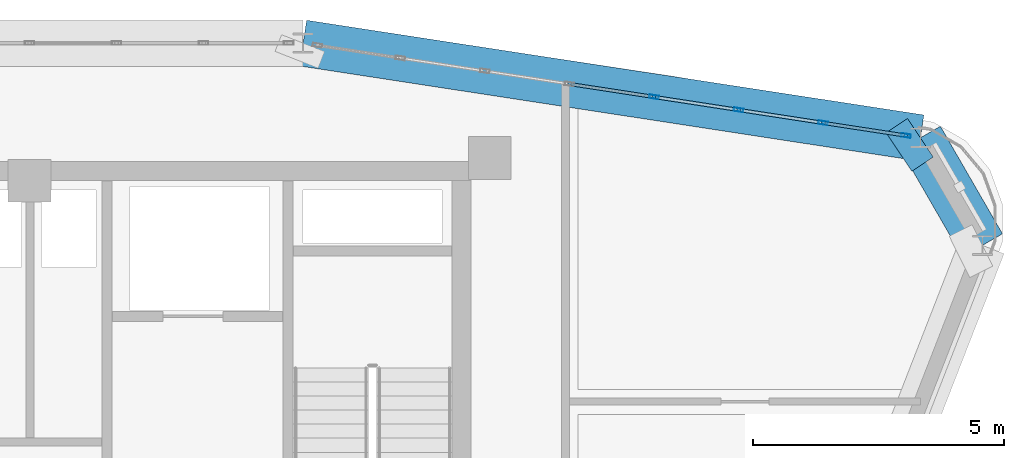
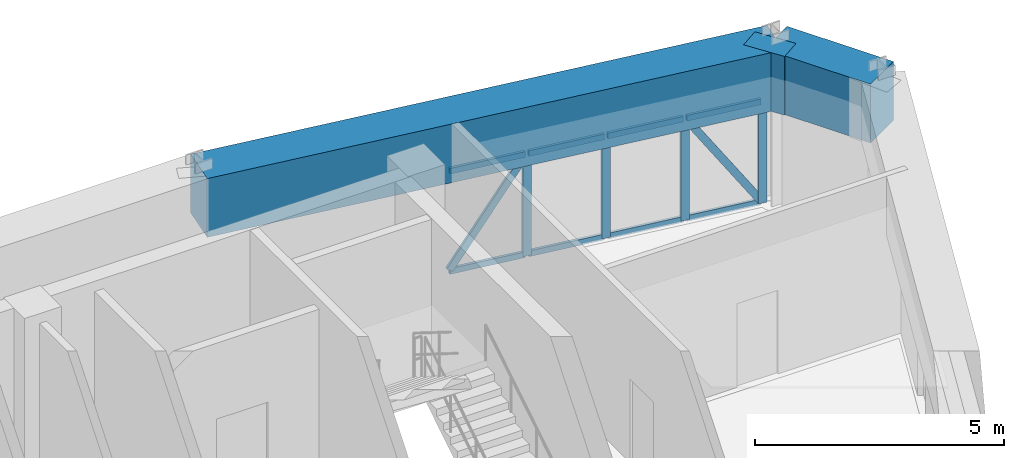
# One storey, part 10 of 16: 14 members, 3 beams, 1 element without a shape of its own.
"""IFC4 building model written with IfcOpenShell, lengths in metres."""

import ifcopenshell
import ifcopenshell.guid

model = None  # the IFC model being written
_history = None  # IfcOwnerHistory: only IFC2X3 demands one
_inside = {}  # id of a spatial element -> (the spatial element, [elements in it])
_under = {}  # id of a project, library or spatial element -> (it, [spatial elements below it])
_declared = {}  # id of a project -> (the project, [libraries it declares])
_typed = {}  # id of a type object -> (the type object, [elements of that type])
_made_of = {}  # id of a material, layer set ... -> (it, [elements and type objects made of it])


def new_model(schema):
    """Start an empty IFC model of exactly this schema.

    Asked for "IFC4X3", IfcOpenShell would pick the latest addendum, in which some entities
    have other attributes; the version numbers below select the first issue.
    IFC2X3 requires an IfcOwnerHistory on every rooted entity: one is made here for all.
    """
    global model, _history
    if schema == "IFC4X3":
        model = ifcopenshell.file(schema_version=(4, 3, 0, 0))
    else:
        model = ifcopenshell.file(schema=schema)
    _inside.clear()
    _under.clear()
    _declared.clear()
    _typed.clear()
    _made_of.clear()
    _history = None
    if model.schema == "IFC2X3":
        org = make("IfcOrganization", Name="unknown")
        user = make(
            "IfcPersonAndOrganization",
            ThePerson=make("IfcPerson", FamilyName="unknown"),
            TheOrganization=org,
        )
        app = make(
            "IfcApplication",
            ApplicationDeveloper=org,
            Version="unknown",
            ApplicationFullName="unknown",
            ApplicationIdentifier="unknown",
        )
        _history = make(
            "IfcOwnerHistory",
            OwningUser=user,
            OwningApplication=app,
            ChangeAction="ADDED",
            CreationDate=0,
        )
    return model


def make(cls, **values):
    """One entity of the class cls with the attributes given. An attribute that is None is left unset."""
    return model.create_entity(
        cls, **{name: value for name, value in values.items() if value is not None}
    )


def rooted(cls, **values):
    """An entity with a GlobalId (a new one), such as an element, a storey or a relation."""
    return make(cls, GlobalId=ifcopenshell.guid.new(), OwnerHistory=_history, **values)


def si_unit(unit_type, name, prefix=None):
    """IfcSIUnit, for example si_unit("LENGTHUNIT", "METRE", prefix="MILLI")."""
    return make("IfcSIUnit", UnitType=unit_type, Prefix=prefix, Name=name)


def derived_unit(unit_type, elements):
    """IfcDerivedUnit: a product of units, each with its exponent."""
    return make(
        "IfcDerivedUnit",
        Elements=[
            make("IfcDerivedUnitElement", Unit=unit, Exponent=power)
            for unit, power in elements
        ],
        UnitType=unit_type,
    )


def assignment(units):
    """IfcUnitAssignment: the units of a project."""
    return None if units is None else make("IfcUnitAssignment", Units=units)


def point(xyz):
    """IfcCartesianPoint."""
    return None if xyz is None else make("IfcCartesianPoint", Coordinates=xyz)


def direction(xyz):
    """IfcDirection."""
    return None if xyz is None else make("IfcDirection", DirectionRatios=xyz)


def frame(location, z_axis=None, x_axis=None):
    """IfcAxis2Placement3D, a coordinate frame: its origin and axes. An axis left out is left unset."""
    return make(
        "IfcAxis2Placement3D",
        Location=point(location),
        Axis=direction(z_axis),
        RefDirection=direction(x_axis),
    )


def frame_2d(location, x_axis=None):
    """IfcAxis2Placement2D, a coordinate frame in the plane: its origin and x axis."""
    return make(
        "IfcAxis2Placement2D", Location=point(location), RefDirection=direction(x_axis)
    )


def origin():
    """The frame at (0, 0, 0) with its axes left unset."""
    return frame((0.0, 0.0, 0.0))


def origin_2d():
    """The frame at (0, 0) in the plane with its x axis left unset."""
    return frame_2d((0.0, 0.0))


def place(relative_to, where):
    """IfcLocalPlacement: puts the frame where relative to a parent placement (None: the world)."""
    return make(
        "IfcLocalPlacement", PlacementRelTo=relative_to, RelativePlacement=where
    )


def context(
    kind, dimensions, precision=None, world=None, true_north=None, identifier=None
):
    """IfcGeometricRepresentationContext, for example the 3D "Model" context."""
    return make(
        "IfcGeometricRepresentationContext",
        ContextIdentifier=identifier,
        ContextType=kind,
        CoordinateSpaceDimension=dimensions,
        Precision=precision,
        WorldCoordinateSystem=world,
        TrueNorth=true_north,
    )


def subcontext(parent, identifier, kind, view, scale=None):
    """IfcGeometricRepresentationSubContext, for example "Body" below "Model"."""
    return make(
        "IfcGeometricRepresentationSubContext",
        ContextIdentifier=identifier,
        ContextType=kind,
        ParentContext=parent,
        TargetScale=scale,
        TargetView=view,
    )


def project(units=None, contexts=None):
    """IfcProject with its units and contexts."""
    return rooted(
        "IfcProject",
        Name="project",
        RepresentationContexts=contexts,
        UnitsInContext=assignment(units),
    )


def spatial(cls, under=None, at=None, **own):
    """A site, building, storey or space (cls), placed at a placement, below another one or the project."""
    s = rooted(cls, ObjectPlacement=at, **own)
    if under is not None:
        _under.setdefault(under.id(), (under, []))[1].append(s)
    return s


def profile(cls, at=None, kind="AREA", **sizes):
    """A parametric profile (cls). Its sizes go by their IFC names, for example OverallWidth=200.0."""
    return make(cls, ProfileType=kind, Position=at, **sizes)


def rectangle(**sizes):
    """IfcRectangleProfileDef."""
    return profile("IfcRectangleProfileDef", **sizes)


def hollow_rectangle(**sizes):
    """IfcRectangleHollowProfileDef."""
    return profile("IfcRectangleHollowProfileDef", **sizes)


def extrude(swept, where, along, depth):
    """IfcExtrudedAreaSolid: the profile swept, set in the frame where, extruded along a direction by depth."""
    return make(
        "IfcExtrudedAreaSolid",
        SweptArea=swept,
        Position=where,
        ExtrudedDirection=direction(along),
        Depth=depth,
    )


def shape(context_of_items, identifier, shape_type, items):
    """IfcShapeRepresentation: the items that make up one representation, for example the "Body"."""
    return make(
        "IfcShapeRepresentation",
        ContextOfItems=context_of_items,
        RepresentationIdentifier=identifier,
        RepresentationType=shape_type,
        Items=items,
    )


def source(mapping_origin, context_of_items, identifier, shape_type, items):
    """IfcRepresentationMap: a shape defined once, which mapped items show again and again."""
    return make(
        "IfcRepresentationMap",
        MappingOrigin=mapping_origin,
        MappedRepresentation=shape(context_of_items, identifier, shape_type, items),
    )


def transform(
    local_origin,
    x_axis=None,
    y_axis=None,
    z_axis=None,
    scale=None,
    scale2=None,
    scale3=None,
    uniform=True,
):
    """IfcCartesianTransformationOperator3D, or its non-uniform kind. x_axis, y_axis, z_axis: its Axis1, 2, 3."""
    if uniform:
        return make(
            "IfcCartesianTransformationOperator3D",
            Axis1=direction(x_axis),
            Axis2=direction(y_axis),
            LocalOrigin=point(local_origin),
            Scale=scale,
            Axis3=direction(z_axis),
        )
    return make(
        "IfcCartesianTransformationOperator3DnonUniform",
        Axis1=direction(x_axis),
        Axis2=direction(y_axis),
        LocalOrigin=point(local_origin),
        Scale=scale,
        Axis3=direction(z_axis),
        Scale2=scale2,
        Scale3=scale3,
    )


def mapped(mapping_source, mapping_target):
    """IfcMappedItem: shows the shape of a source again, moved by a transform."""
    return make(
        "IfcMappedItem", MappingSource=mapping_source, MappingTarget=mapping_target
    )


def material(Name=None, Category=None):
    """IfcMaterial."""
    return make("IfcMaterial", Name=Name, Category=Category)


def layer(
    of_material, thickness, ventilated=None, Name=None, Category=None, Priority=None
):
    """IfcMaterialLayer: one layer of a wall or slab, of a material (None: an air gap)."""
    return make(
        "IfcMaterialLayer",
        Material=of_material,
        LayerThickness=thickness,
        IsVentilated=ventilated,
        Name=Name,
        Category=Category,
        Priority=Priority,
    )


def layer_set(layers, Name=None):
    """IfcMaterialLayerSet."""
    return make("IfcMaterialLayerSet", MaterialLayers=layers, LayerSetName=Name)


def material_profile(
    of_material, cross_section, Name=None, Category=None, Priority=None
):
    """IfcMaterialProfile: a cross section and its material."""
    return make(
        "IfcMaterialProfile",
        Name=Name,
        Material=of_material,
        Profile=cross_section,
        Priority=Priority,
        Category=Category,
    )


def profile_set(profiles, Name=None, composite=None):
    """IfcMaterialProfileSet."""
    return make(
        "IfcMaterialProfileSet",
        Name=Name,
        MaterialProfiles=profiles,
        CompositeProfile=composite,
    )


def made_of(thing, what):
    """Note that an element or type object is made of a material, layer set ...; save() writes the relation."""
    if what is not None:
        _made_of.setdefault(what.id(), (what, []))[1].append(thing)
    return thing


def type_object(cls, material=None, **own):
    """A type object (cls), such as IfcWallType, which elements share."""
    return made_of(rooted(cls, **own), material)


def element(
    cls,
    number,
    at=None,
    inside=None,
    cuts=None,
    type_object=None,
    material=None,
    context=None,
    identifier="Body",
    shape_type=None,
    held_by="IfcProductDefinitionShape",
    body=None,
    shapes=None,
    **own,
):
    """One element of the class cls, such as IfcWall. Its Tag is "e" and its number.

    at: its placement. inside: the storey or other place that contains it. cuts: it is an
    opening in that element (IfcRelVoidsElement). A single representation is given by context,
    identifier, shape_type and body (its items); several are given by shapes. held_by: the class
    of the entity that holds the representations. save() writes the other relations.
    """
    e = rooted(cls, Tag="e%d" % number, ObjectPlacement=at, **own)
    if body is not None:
        shapes = [shape(context, identifier, shape_type, body)]
    if shapes is not None:
        e.Representation = make(held_by, Representations=shapes)
    if inside is not None:
        _inside.setdefault(inside.id(), (inside, []))[1].append(e)
    if cuts is not None:
        rooted(
            "IfcRelVoidsElement", RelatingBuildingElement=cuts, RelatedOpeningElement=e
        )
    if type_object is not None:
        _typed.setdefault(type_object.id(), (type_object, []))[1].append(e)
    return made_of(e, material)


def aggregate(whole, parts):
    """IfcRelAggregates: a whole, such as a stair, and the parts it consists of."""
    return rooted("IfcRelAggregates", RelatingObject=whole, RelatedObjects=parts)


def save(model, path):
    """Write the relations noted so far, then the file.

    IfcRelAggregates (storeys below a building ...), IfcRelContainedInSpatialStructure (elements
    in a storey), IfcRelDefinesByType, IfcRelAssociatesMaterial and IfcRelDeclares: one each for
    every whole, place, type object, material and project.
    """
    for whole, parts in _under.values():
        aggregate(whole, parts)
    for where, things in _inside.values():
        rooted(
            "IfcRelContainedInSpatialStructure",
            RelatedElements=things,
            RelatingStructure=where,
        )
    for kind, things in _typed.values():
        rooted("IfcRelDefinesByType", RelatedObjects=things, RelatingType=kind)
    for what, things in _made_of.values():
        rooted("IfcRelAssociatesMaterial", RelatedObjects=things, RelatingMaterial=what)
    for by, libraries in _declared.values():
        rooted("IfcRelDeclares", RelatingContext=by, RelatedDefinitions=libraries)
    model.write(path)


model = new_model("IFC4")

# Units and contexts
model_context = context("Model", 3, precision=1e-05, world=origin(), true_north=direction((0.0, 1.0)))
body_context = subcontext(model_context, "Body", "Model", "MODEL_VIEW")
ifc_project = project(units=[si_unit("LENGTHUNIT", "METRE"), si_unit("AREAUNIT", "SQUARE_METRE"), si_unit("VOLUMEUNIT", "CUBIC_METRE"), si_unit("PLANEANGLEUNIT", "RADIAN"), si_unit("MASSUNIT", "GRAM", prefix="KILO"), derived_unit("THERMALTRANSMITTANCEUNIT", [(si_unit("POWERUNIT", "WATT"), 1), (si_unit("LENGTHUNIT", "METRE"), -2), (si_unit("THERMODYNAMICTEMPERATUREUNIT", "KELVIN"), -1)])], contexts=[model_context])

# Site, building, storey
site_placement = place(None, origin())
site = spatial("IfcSite", under=ifc_project, at=site_placement, CompositionType="ELEMENT")
building_placement = place(site_placement, origin())
building = spatial("IfcBuilding", under=site, at=building_placement, Name="Korsvarv Bourse and Concert Hall", CompositionType="ELEMENT")
storey_placement = place(building_placement, frame((0.0, 0.0, 283.800048828125)))
storey = spatial("IfcBuildingStorey", under=building, at=storey_placement, Name="L74", CompositionType="ELEMENT", Elevation=283.800048828125)

# Beams
ifc_material_1 = material(Name="Concrete C50/60", Category="concrete")
ifc_material_profile_1 = material_profile(ifc_material_1, rectangle(XDim=0.919921875, YDim=1.43994140625, at=origin_2d()), Name="RC-BM 920x1440")
ifc_profile_set_1 = profile_set([ifc_material_profile_1], Name="Concrete C50/60")
beam_type = type_object("IfcBeamType", Name="BM-TR-144", PredefinedType="BEAM", material=ifc_profile_set_1)
shared_shape_1 = source(origin(), body_context, "Body", "SweptSolid", [
    extrude(rectangle(XDim=0.919921875, YDim=1.43994140625, at=origin_2d()), origin(), (0.0, 0.0, 1.0), 2.47021484375),
])
beam_1_placement = place(storey_placement, frame((54.94873046875, 45.513916015625, 3.239990234375), z_axis=(-0.500019046465, 0.866014407023, 0.0), x_axis=(-0.866014407023, -0.500019046465, 0.0)))
element("IfcBeam", 1, at=beam_1_placement, inside=storey, type_object=beam_type, Name="L74 beam B-TR4", PredefinedType="BEAM", context=body_context, shape_type="MappedRepresentation", body=[
    mapped(shared_shape_1, transform((0.0, 0.0, 0.0), scale=1.0)),
])
shared_shape_2 = source(origin(), body_context, "Body", "SweptSolid", [
    extrude(rectangle(XDim=0.919921875, YDim=1.43994140625, at=origin_2d()), origin(), (0.0, 0.0, 1.0), 12.417236328125),
])
beam_2_placement = place(storey_placement, frame((53.713623046875, 47.653076171875, 3.239990234375), z_axis=(-0.988437521612, 0.151628710574, 0.0), x_axis=(-0.151628710574, -0.988437521612, 0.0)))
element("IfcBeam", 2, at=beam_2_placement, inside=storey, type_object=beam_type, Name="L74 beam B-TR4", PredefinedType="BEAM", context=body_context, shape_type="MappedRepresentation", body=[
    mapped(shared_shape_2, transform((0.0, 0.0, 0.0), scale=1.0)),
])
shared_shape_3 = source(origin(), body_context, "Body", "SweptSolid", [
    extrude(rectangle(XDim=0.919921875, YDim=1.43994140625, at=origin_2d()), origin(), (0.0, 0.0, 1.0), 0.51025390625),
])
beam_3_placement = place(storey_placement, frame((53.713623046875, 47.653076171875, 3.239990234375), z_axis=(-0.832858973752, -0.553485257112, 0.0), x_axis=(0.553485257112, -0.832858973752, 0.0)))
element("IfcBeam", 3, at=beam_3_placement, inside=storey, type_object=beam_type, Name="L74 beam B-TR4", PredefinedType="BEAM", context=body_context, shape_type="MappedRepresentation", body=[
    mapped(shared_shape_3, transform((0.0, 0.0, 0.0), scale=1.0)),
])

# Curtain wall, members
ifc_material_2 = material(Name="Anodised aluminium and triple low-E glazing", Category="glass")
ifc_layer = layer(ifc_material_2, 0.18994140625)
ifc_layer_set = layer_set([ifc_layer], Name="Anodised aluminium and triple low-E glazing")
curtain_wall_type = type_object("IfcCurtainWallType", Name="CW-SYS-4", PredefinedType="NOTDEFINED", material=ifc_layer_set)
curtain_wall_placement = place(storey_placement, origin())
curtain_wall = element("IfcCurtainWall", 4, at=curtain_wall_placement, inside=storey, type_object=curtain_wall_type, Name="L74 CW4 curtain wall CW-L74-F02", PredefinedType="NOTDEFINED")
ifc_material_3 = material(Name="Extruded aluminium EN AW-6063 T66", Category="aluminium")
ifc_material_profile_2 = material_profile(ifc_material_3, hollow_rectangle(XDim=0.070068359375, YDim=0.18994140625, WallThickness=0.0048828125, at=origin_2d()), Name="ALU-M 70x190")
ifc_profile_set_2 = profile_set([ifc_material_profile_2], Name="Extruded aluminium EN AW-6063 T66")
member_type_1 = type_object("IfcMemberType", Name="CWM-190", PredefinedType="MULLION", material=ifc_profile_set_2)
shared_shape_4 = source(origin(), body_context, "Body", "SweptSolid", [
    extrude(hollow_rectangle(XDim=0.070068359375, YDim=0.18994140625, WallThickness=0.0048828125, at=origin_2d()), origin(), (0.0, 0.0, 1.0), 2.52001953125),
])
member_1_placement = place(storey_placement, frame((53.4287109375, 47.69677734375, 0.0), z_axis=(0.0, 0.0, 1.0), x_axis=(-0.151630675756, -0.988437220146, 0.0)))
member_1 = element("IfcMember", 5, at=member_1_placement, type_object=member_type_1, Name="CW4 mullion 1", PredefinedType="MULLION", context=body_context, shape_type="MappedRepresentation", body=[
    mapped(shared_shape_4, transform((0.0, 0.0, 0.0), scale=1.0)),
])
member_2_placement = place(storey_placement, frame((51.78125, 47.949462890625, 0.0), z_axis=(0.0, 0.0, 1.0), x_axis=(-0.151630675756, -0.988437220146, 0.0)))
member_2 = element("IfcMember", 6, at=member_2_placement, type_object=member_type_1, Name="CW4 mullion 2", PredefinedType="MULLION", context=body_context, shape_type="MappedRepresentation", body=[
    mapped(shared_shape_4, transform((0.0, 0.0, 0.0), scale=1.0)),
])
member_3_placement = place(storey_placement, frame((50.099609375, 48.20751953125, 0.0), z_axis=(0.0, 0.0, 1.0), x_axis=(-0.151630675756, -0.988437220146, 0.0)))
member_3 = element("IfcMember", 7, at=member_3_placement, type_object=member_type_1, Name="CW4 mullion 3", PredefinedType="MULLION", context=body_context, shape_type="MappedRepresentation", body=[
    mapped(shared_shape_4, transform((0.0, 0.0, 0.0), scale=1.0)),
])
member_4_placement = place(storey_placement, frame((48.417724609375, 48.465576171875, 0.0), z_axis=(0.0, 0.0, 1.0), x_axis=(-0.151630675756, -0.988437220146, 0.0)))
member_4 = element("IfcMember", 8, at=member_4_placement, type_object=member_type_1, Name="CW4 mullion 4", PredefinedType="MULLION", context=body_context, shape_type="MappedRepresentation", body=[
    mapped(shared_shape_4, transform((0.0, 0.0, 0.0), scale=1.0)),
])
ifc_material_profile_3 = material_profile(ifc_material_3, hollow_rectangle(XDim=0.06494140625, YDim=0.139892578125, WallThickness=0.00390625, at=origin_2d()), Name="ALU-T 65x140")
ifc_profile_set_3 = profile_set([ifc_material_profile_3], Name="Extruded aluminium EN AW-6063 T66")
member_type_2 = type_object("IfcMemberType", Name="CWT-140", PredefinedType="USERDEFINED", material=ifc_profile_set_3)
shared_shape_5 = source(origin(), body_context, "Body", "SweptSolid", [
    extrude(hollow_rectangle(XDim=0.06494140625, YDim=0.139892578125, WallThickness=0.00390625, at=origin_2d()), origin(), (0.0, 0.0, 1.0), 1.5966796875),
])
member_5_placement = place(storey_placement, frame((53.39404296875, 47.7021484375, 0.032470703125), z_axis=(-0.988451114233, 0.151540076455, 0.0), x_axis=(-0.151540076455, -0.988451114233, 0.0)))
member_5 = element("IfcMember", 9, at=member_5_placement, type_object=member_type_2, Name="CW4 transom 1.1", ObjectType="TRANSOM", PredefinedType="USERDEFINED", context=body_context, shape_type="MappedRepresentation", body=[
    mapped(shared_shape_5, transform((0.0, 0.0, 0.0), scale=1.0)),
])
member_6_placement = place(storey_placement, frame((53.39404296875, 47.7021484375, 2.487548828125), z_axis=(-0.988451114233, 0.151540076455, 0.0), x_axis=(-0.151540076455, -0.988451114233, 0.0)))
member_6 = element("IfcMember", 10, at=member_6_placement, type_object=member_type_2, Name="CW4 transom 1.2", ObjectType="TRANSOM", PredefinedType="USERDEFINED", context=body_context, shape_type="MappedRepresentation", body=[
    mapped(shared_shape_5, transform((0.0, 0.0, 0.0), scale=1.0)),
])
ifc_material_profile_4 = material_profile(ifc_material_3, hollow_rectangle(XDim=0.06494140625, YDim=0.1650390625, WallThickness=0.0048828125, at=origin_2d()), Name="ALU-M 65x165")
ifc_profile_set_4 = profile_set([ifc_material_profile_4], Name="Extruded aluminium EN AW-6063 T66")
member_type_3 = type_object("IfcMemberType", Name="CWM-165", PredefinedType="MULLION", material=ifc_profile_set_4)
shared_shape_6 = source(origin(), body_context, "Body", "SweptSolid", [
    extrude(hollow_rectangle(XDim=0.06494140625, YDim=0.1650390625, WallThickness=0.0048828125, at=origin_2d()), origin(), (0.0, 0.0, 1.0), 2.8740234375),
])
member_7_placement = place(storey_placement, frame((53.39404296875, 47.7021484375, 0.06494140625), z_axis=(-0.54907991806, 0.084179795606, 0.831519696456), x_axis=(-0.151540076455, -0.988451114233, 0.0)))
member_7 = element("IfcMember", 11, at=member_7_placement, type_object=member_type_3, Name="CW4 diagonal mullion 1", PredefinedType="MULLION", context=body_context, shape_type="MappedRepresentation", body=[
    mapped(shared_shape_6, transform((0.0, 0.0, 0.0), scale=1.0)),
])
shared_shape_7 = source(origin(), body_context, "Body", "SweptSolid", [
    extrude(hollow_rectangle(XDim=0.06494140625, YDim=0.139892578125, WallThickness=0.00390625, at=origin_2d()), origin(), (0.0, 0.0, 1.0), 1.631591796875),
])
member_8_placement = place(storey_placement, frame((51.746826171875, 47.954833984375, 0.032470703125), z_axis=(-0.988445961203, 0.151573684332, 0.0), x_axis=(-0.151573684332, -0.988445961203, 0.0)))
member_8 = element("IfcMember", 12, at=member_8_placement, type_object=member_type_2, Name="CW4 transom 2.1", ObjectType="TRANSOM", PredefinedType="USERDEFINED", context=body_context, shape_type="MappedRepresentation", body=[
    mapped(shared_shape_7, transform((0.0, 0.0, 0.0), scale=1.0)),
])
member_9_placement = place(storey_placement, frame((51.746826171875, 47.954833984375, 2.487548828125), z_axis=(-0.988445961203, 0.151573684332, 0.0), x_axis=(-0.151573684332, -0.988445961203, 0.0)))
member_9 = element("IfcMember", 13, at=member_9_placement, type_object=member_type_2, Name="CW4 transom 2.2", ObjectType="TRANSOM", PredefinedType="USERDEFINED", context=body_context, shape_type="MappedRepresentation", body=[
    mapped(shared_shape_7, transform((0.0, 0.0, 0.0), scale=1.0)),
])
shared_shape_8 = source(origin(), body_context, "Body", "SweptSolid", [
    extrude(hollow_rectangle(XDim=0.06494140625, YDim=0.139892578125, WallThickness=0.00390625, at=origin_2d()), origin(), (0.0, 0.0, 1.0), 1.63134765625),
])
member_10_placement = place(storey_placement, frame((50.06494140625, 48.212890625, 0.032470703125), z_axis=(-0.988442522787, 0.151596105312, 0.0), x_axis=(-0.151596105312, -0.988442522787, 0.0)))
member_10 = element("IfcMember", 14, at=member_10_placement, type_object=member_type_2, Name="CW4 transom 3.1", ObjectType="TRANSOM", PredefinedType="USERDEFINED", context=body_context, shape_type="MappedRepresentation", body=[
    mapped(shared_shape_8, transform((0.0, 0.0, 0.0), scale=1.0)),
])
member_11_placement = place(storey_placement, frame((50.06494140625, 48.212890625, 2.487548828125), z_axis=(-0.988442522787, 0.151596105312, 0.0), x_axis=(-0.151596105312, -0.988442522787, 0.0)))
member_11 = element("IfcMember", 15, at=member_11_placement, type_object=member_type_2, Name="CW4 transom 3.2", ObjectType="TRANSOM", PredefinedType="USERDEFINED", context=body_context, shape_type="MappedRepresentation", body=[
    mapped(shared_shape_8, transform((0.0, 0.0, 0.0), scale=1.0)),
])
member_12_placement = place(storey_placement, frame((48.383056640625, 48.470703125, 0.032470703125), z_axis=(-0.988420088226, 0.151742311803, 0.0), x_axis=(-0.151742311803, -0.988420088226, 0.0)))
member_12 = element("IfcMember", 16, at=member_12_placement, type_object=member_type_2, Name="CW4 transom 4.1", ObjectType="TRANSOM", PredefinedType="USERDEFINED", context=body_context, shape_type="MappedRepresentation", body=[
    mapped(shared_shape_8, transform((0.0, 0.0, 0.0), scale=1.0)),
])
member_13_placement = place(storey_placement, frame((48.383056640625, 48.470703125, 2.487548828125), z_axis=(-0.988420088226, 0.151742311803, 0.0), x_axis=(-0.151742311803, -0.988420088226, 0.0)))
member_13 = element("IfcMember", 17, at=member_13_placement, type_object=member_type_2, Name="CW4 transom 4.2", ObjectType="TRANSOM", PredefinedType="USERDEFINED", context=body_context, shape_type="MappedRepresentation", body=[
    mapped(shared_shape_8, transform((0.0, 0.0, 0.0), scale=1.0)),
])
shared_shape_9 = source(origin(), body_context, "Body", "SweptSolid", [
    extrude(hollow_rectangle(XDim=0.06494140625, YDim=0.1650390625, WallThickness=0.0048828125, at=origin_2d()), origin(), (0.0, 0.0, 1.0), 2.8935546875),
])
member_14_placement = place(storey_placement, frame((46.7705078125, 48.71826171875, 0.06494140625), z_axis=(0.55727237809, -0.085552489233, 0.825910569132), x_axis=(0.151742311803, 0.988420088226, 0.0)))
member_14 = element("IfcMember", 18, at=member_14_placement, type_object=member_type_3, Name="CW4 diagonal mullion 4", PredefinedType="MULLION", context=body_context, shape_type="MappedRepresentation", body=[
    mapped(shared_shape_9, transform((0.0, 0.0, 0.0), scale=1.0)),
])
aggregate(curtain_wall, [member_1, member_2, member_3, member_4, member_5, member_6, member_7, member_8, member_9, member_10, member_11, member_12, member_13, member_14])

save(model, "model.ifc")
